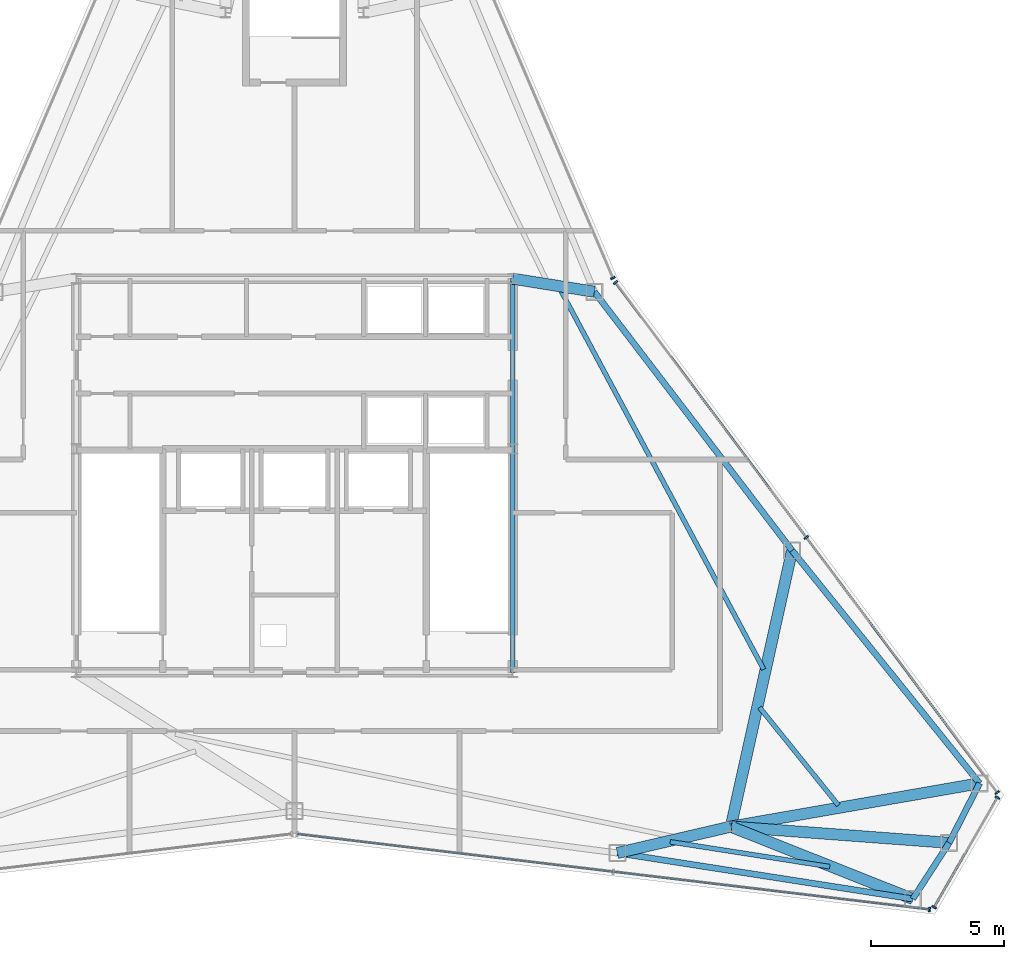
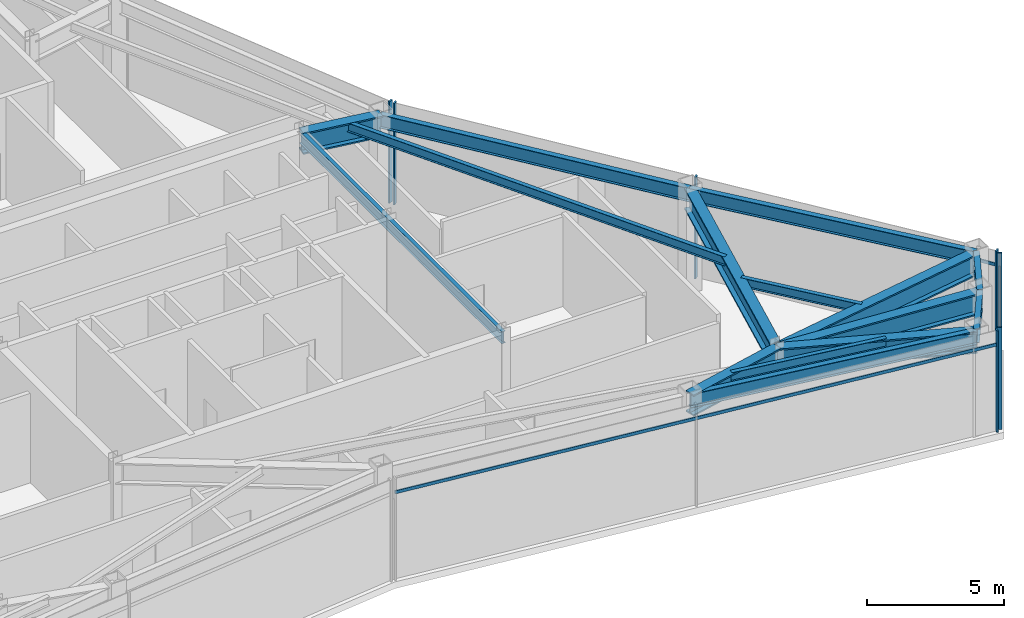
# One storey, part 6 of 11: 15 beams, 10 members, 4 elements without a shape of their own.
"""IFC4 building model written with IfcOpenShell, lengths in metres."""

from ifc_helpers import new_model, si_unit, direction, frame, origin, origin_2d, place, context, subcontext, project, spatial, rectangle, i_section, extrude, source, transform, mapped, material, layer, layer_set, material_profile, profile_set, type_object, type_shapes, element, aggregate, save


model = new_model("IFC4")

# Units and contexts
model_context = context("Model", 3, precision=1e-05, world=origin(), true_north=direction((0.0, 1.0)))
body_context = subcontext(model_context, "Body", "Model", "MODEL_VIEW")
ifc_project = project(units=[si_unit("LENGTHUNIT", "METRE"), si_unit("AREAUNIT", "SQUARE_METRE"), si_unit("VOLUMEUNIT", "CUBIC_METRE"), si_unit("PLANEANGLEUNIT", "RADIAN"), si_unit("MASSUNIT", "GRAM", prefix="KILO")], contexts=[model_context])

# Site, building, storey
site_placement = place(None, origin())
site = spatial("IfcSite", under=ifc_project, at=site_placement, CompositionType="ELEMENT")
building_placement = place(site_placement, origin())
building = spatial("IfcBuilding", under=site, at=building_placement, Name="Varakhsha Concourse Tower", CompositionType="ELEMENT")
storey_placement = place(building_placement, frame((0.0, 0.0, 290.0)))
storey = spatial("IfcBuildingStorey", under=building, at=storey_placement, Name="L82", CompositionType="ELEMENT", Elevation=290.0)

# Beams
ifc_material_1 = material(Name="Structural Steel ASTM A992 Grade 50", Category="steel")
ifc_material_profile_1 = material_profile(ifc_material_1, i_section(OverallWidth=0.177978515625, OverallDepth=0.406982421875, WebThickness=0.008056640625, FlangeThickness=0.012939453125, at=origin_2d()), Name="W16X40")
ifc_profile_set_1 = profile_set([ifc_material_profile_1], Name="Structural Steel ASTM A992 Grade 50")
beam_type_1 = type_object("IfcBeamType", Name="BM-JST-W16X40", PredefinedType="JOIST", material=ifc_profile_set_1)
beam_1_placement = place(storey_placement, frame((54.123046875, 10.02880859375, 4.33642578125), z_axis=(0.98809352672, -0.153854419674, 0.0), x_axis=(0.153854419674, 0.98809352672, 0.0)))
element("IfcBeam", 1, at=beam_1_placement, inside=storey, type_object=beam_type_1, Name="BM-TJST-L82-12", PredefinedType="JOIST", context=body_context, shape_type="SweptSolid", body=[
    extrude(i_section(OverallWidth=0.177978515625, OverallDepth=0.406982421875, WebThickness=0.008056640625, FlangeThickness=0.012939453125, at=origin_2d()), origin(), (0.0, 0.0, 1.0), 6.07275390625),
])
beam_2_placement = place(storey_placement, frame((60.44677734375, 11.40283203125, 4.33642578125), z_axis=(-0.627306903234, 0.778772142, 0.0), x_axis=(-0.778772142, -0.627306903234, 0.0)))
element("IfcBeam", 2, at=beam_2_placement, inside=storey, type_object=beam_type_1, Name="BM-TJST-L82-15", PredefinedType="JOIST", context=body_context, shape_type="SweptSolid", body=[
    extrude(i_section(OverallWidth=0.177978515625, OverallDepth=0.406982421875, WebThickness=0.008056640625, FlangeThickness=0.012939453125, at=origin_2d()), origin(), (0.0, 0.0, 1.0), 4.724365234375),
])
beam_3_placement = place(storey_placement, frame((57.638916015625, 16.510498046875, 4.33642578125), z_axis=(-0.472095005665, 0.881547676321, 0.0), x_axis=(-0.881547676321, -0.472095005665, 0.0)))
element("IfcBeam", 3, at=beam_3_placement, inside=storey, type_object=beam_type_1, Name="BM-TJST-L82-16", PredefinedType="JOIST", context=body_context, shape_type="SweptSolid", body=[
    extrude(i_section(OverallWidth=0.177978515625, OverallDepth=0.406982421875, WebThickness=0.008056640625, FlangeThickness=0.012939453125, at=origin_2d()), origin(), (0.0, 0.0, 1.0), 16.240478515625),
])
ifc_material_profile_2 = material_profile(ifc_material_1, i_section(OverallWidth=0.423095703125, OverallDepth=0.947998046875, WebThickness=0.0380859375, FlangeThickness=0.06396484375, at=origin_2d()), Name="W36X302")
ifc_profile_set_2 = profile_set([ifc_material_profile_2], Name="Structural Steel ASTM A992 Grade 50")
beam_type_2 = type_object("IfcBeamType", Name="BM-OUTR-W36X302", PredefinedType="USERDEFINED", material=ifc_profile_set_2)
beam_4_placement = place(storey_placement, frame((56.39990234375, 10.60009765625, 4.06591796875), z_axis=(-0.974053264238, -0.22631888659, 0.0), x_axis=(0.22631888659, -0.974053264238, 0.0)))
element("IfcBeam", 4, at=beam_4_placement, inside=storey, type_object=beam_type_2, Name="L82 Radial Floor Girder 12", ObjectType="GIRDER", PredefinedType="USERDEFINED", context=body_context, shape_type="SweptSolid", body=[
    extrude(i_section(OverallWidth=0.423095703125, OverallDepth=0.947998046875, WebThickness=0.0380859375, FlangeThickness=0.06396484375, at=origin_2d()), origin(), (0.0, 0.0, 1.0), 4.373291015625),
])
beam_5_placement = place(storey_placement, frame((56.39990234375, 10.60009765625, 4.06591796875), z_axis=(0.929358942511, -0.369177404476, 0.0), x_axis=(0.369177404476, 0.929358942511, 0.0)))
element("IfcBeam", 5, at=beam_5_placement, inside=storey, type_object=beam_type_2, Name="L82 Radial Floor Girder 13", ObjectType="GIRDER", PredefinedType="USERDEFINED", context=body_context, shape_type="SweptSolid", body=[
    extrude(i_section(OverallWidth=0.423095703125, OverallDepth=0.947998046875, WebThickness=0.0380859375, FlangeThickness=0.06396484375, at=origin_2d()), origin(), (0.0, 0.0, 1.0), 7.36376953125),
])
beam_6_placement = place(storey_placement, frame((56.39990234375, 10.60009765625, 4.06591796875), z_axis=(0.997265326359, -0.073904457528, 0.0), x_axis=(0.073904457528, 0.997265326359, 0.0)))
element("IfcBeam", 6, at=beam_6_placement, inside=storey, type_object=beam_type_2, Name="L82 Radial Floor Girder 14", ObjectType="GIRDER", PredefinedType="USERDEFINED", context=body_context, shape_type="SweptSolid", body=[
    extrude(i_section(OverallWidth=0.423095703125, OverallDepth=0.947998046875, WebThickness=0.0380859375, FlangeThickness=0.06396484375, at=origin_2d()), origin(), (0.0, 0.0, 1.0), 8.232177734375),
])
beam_7_placement = place(storey_placement, frame((56.39990234375, 10.60009765625, 4.06591796875), z_axis=(0.985160946452, 0.171633066701, 0.0), x_axis=(-0.171633066701, 0.985160946452, 0.0)))
element("IfcBeam", 7, at=beam_7_placement, inside=storey, type_object=beam_type_2, Name="L82 Radial Floor Girder 15", ObjectType="GIRDER", PredefinedType="USERDEFINED", context=body_context, shape_type="SweptSolid", body=[
    extrude(i_section(OverallWidth=0.423095703125, OverallDepth=0.947998046875, WebThickness=0.0380859375, FlangeThickness=0.06396484375, at=origin_2d()), origin(), (0.0, 0.0, 1.0), 9.494873046875),
])
beam_8_placement = place(storey_placement, frame((56.39990234375, 10.60009765625, 4.06591796875), z_axis=(0.216774876947, 0.976221620701, 0.0), x_axis=(-0.976221620701, 0.216774876947, 0.0)))
element("IfcBeam", 8, at=beam_8_placement, inside=storey, type_object=beam_type_2, Name="L82 Radial Floor Girder 16", ObjectType="GIRDER", PredefinedType="USERDEFINED", context=body_context, shape_type="SweptSolid", body=[
    extrude(i_section(OverallWidth=0.423095703125, OverallDepth=0.947998046875, WebThickness=0.0380859375, FlangeThickness=0.06396484375, at=origin_2d()), origin(), (0.0, 0.0, 1.0), 10.634033203125),
])
beam_9_placement = place(storey_placement, frame((48.199951171875, 31.199951171875, 4.06591796875), z_axis=(0.987389151681, -0.158311917245, 0.0), x_axis=(0.158311917245, 0.987389151681, 0.0)))
element("IfcBeam", 9, at=beam_9_placement, inside=storey, type_object=beam_type_2, Name="L82 Radial Floor Girder 17", ObjectType="GIRDER", PredefinedType="USERDEFINED", context=body_context, shape_type="SweptSolid", body=[
    extrude(i_section(OverallWidth=0.423095703125, OverallDepth=0.947998046875, WebThickness=0.0380859375, FlangeThickness=0.06396484375, at=origin_2d()), origin(), (0.0, 0.0, 1.0), 3.110595703125),
])
ifc_material_profile_3 = material_profile(ifc_material_1, i_section(OverallWidth=0.1669921875, OverallDepth=0.534912109375, WebThickness=0.010009765625, FlangeThickness=0.01708984375, at=origin_2d()), Name="W21X57")
ifc_profile_set_3 = profile_set([ifc_material_profile_3], Name="Structural Steel ASTM A992 Grade 50")
beam_type_3 = type_object("IfcBeamType", Name="BM-RAD-W21X57", PredefinedType="BEAM", material=ifc_profile_set_3)
beam_10_placement = place(storey_placement, frame((48.199951171875, 16.39990234375, 4.2724609375), z_axis=(0.0, 1.0, 0.0), x_axis=(-1.0, 0.0, 0.0)))
element("IfcBeam", 10, at=beam_10_placement, inside=storey, type_object=beam_type_3, Name="BM-TCORE-L82-CE", PredefinedType="BEAM", context=body_context, shape_type="SweptSolid", body=[
    extrude(i_section(OverallWidth=0.1669921875, OverallDepth=0.534912109375, WebThickness=0.010009765625, FlangeThickness=0.01708984375, at=origin_2d()), origin(), (0.0, 0.0, 1.0), 14.800048828125),
])
ifc_material_profile_4 = material_profile(ifc_material_1, i_section(OverallWidth=0.22900390625, OverallDepth=0.612060546875, WebThickness=0.011962890625, FlangeThickness=0.02001953125, at=origin_2d()), Name="W24X84")
ifc_profile_set_4 = profile_set([ifc_material_profile_4], Name="Structural Steel ASTM A992 Grade 50")
beam_type_4 = type_object("IfcBeamType", Name="BM-SPAN-W24X84", PredefinedType="SPANDREL", material=ifc_profile_set_4)
beam_11_placement = place(storey_placement, frame((52.14013671875, 9.6103515625, 4.23388671875), z_axis=(0.988095047233, -0.153844654224, 0.0), x_axis=(0.153844654224, 0.988095047233, 0.0)))
element("IfcBeam", 11, at=beam_11_placement, inside=storey, type_object=beam_type_4, Name="BM-SPAN-L82-12", PredefinedType="SPANDREL", context=body_context, shape_type="SweptSolid", body=[
    extrude(i_section(OverallWidth=0.22900390625, OverallDepth=0.612060546875, WebThickness=0.011962890625, FlangeThickness=0.02001953125, at=origin_2d()), origin(), (0.0, 0.0, 1.0), 11.237060546875),
])
for number, where, z_axis, x_axis, name in (
    (12, (63.243408203125, 7.881591796875, 4.23388671875), (0.543488847416, 0.839416388173, 0.0), (-0.839416388173, 0.543488847416, 0.0), "BM-SPAN-L82-13"),
    (13, (64.609619140625, 9.99169921875, 4.23388671875), (0.455237693932, 0.89036994672, 0.0), (-0.89036994672, 0.455237693932, 0.0), "BM-SPAN-L82-14"),
):
    element("IfcBeam", number, at=place(storey_placement, frame(where, z_axis=z_axis, x_axis=x_axis)), inside=storey, type_object=beam_type_4, Name=name, PredefinedType="SPANDREL", context=body_context, shape_type="SweptSolid", body=[
        extrude(i_section(OverallWidth=0.22900390625, OverallDepth=0.612060546875, WebThickness=0.011962890625, FlangeThickness=0.02001953125, at=origin_2d()), origin(), (0.0, 0.0, 1.0), 2.513671875),
    ])
beam_12_placement = place(storey_placement, frame((65.75390625, 12.229736328125, 4.23388671875), z_axis=(-0.627277564502, 0.778795773661, 0.0), x_axis=(-0.778795773661, -0.627277564502, 0.0)))
element("IfcBeam", 14, at=beam_12_placement, inside=storey, type_object=beam_type_4, Name="BM-SPAN-L82-15", PredefinedType="SPANDREL", context=body_context, shape_type="SweptSolid", body=[
    extrude(i_section(OverallWidth=0.22900390625, OverallDepth=0.612060546875, WebThickness=0.011962890625, FlangeThickness=0.02001953125, at=origin_2d()), origin(), (0.0, 0.0, 1.0), 11.237060546875),
])
beam_13_placement = place(storey_placement, frame((58.705078125, 20.981201171875, 4.23388671875), z_axis=(-0.60724726041, 0.794512910357, 0.0), x_axis=(-0.794512910357, -0.60724726041, 0.0)))
element("IfcBeam", 15, at=beam_13_placement, inside=storey, type_object=beam_type_4, Name="BM-SPAN-L82-16", PredefinedType="SPANDREL", context=body_context, shape_type="SweptSolid", body=[
    extrude(i_section(OverallWidth=0.22900390625, OverallDepth=0.612060546875, WebThickness=0.011962890625, FlangeThickness=0.02001953125, at=origin_2d()), origin(), (0.0, 0.0, 1.0), 12.241943359375),
])

# Curtain wall, member
ifc_material_2 = material(Name="Anodised Bronze Architectural Aluminium AA 6063-T6", Category="aluminium")
ifc_layer = layer(ifc_material_2, 0.260009765625, Name="CW-SYS-06")
ifc_layer_set = layer_set([ifc_layer], Name="Anodised Bronze Architectural Aluminium AA 6063-T6")
curtain_wall_type = type_object("IfcCurtainWallType", Name="CW-SYS-06", PredefinedType="NOTDEFINED", material=ifc_layer_set)
curtain_wall_1_placement = place(storey_placement, origin())
curtain_wall_1 = element("IfcCurtainWall", 16, at=curtain_wall_1_placement, inside=storey, type_object=curtain_wall_type, Name="L82 Chamfer Curtain Wall F7", PredefinedType="NOTDEFINED")
ifc_material_profile_5 = material_profile(ifc_material_2, rectangle(XDim=0.06005859375, YDim=0.139892578125, at=origin_2d()), Name="CWT-140X60")
ifc_profile_set_5 = profile_set([ifc_material_profile_5], Name="Anodised Bronze Architectural Aluminium AA 6063-T6")
member_type_1 = type_object("IfcMemberType", Name="CWT-140X60", PredefinedType="USERDEFINED", material=ifc_profile_set_5)
shared_shape_1 = source(origin(), body_context, "Body", "SweptSolid", [
    extrude(rectangle(XDim=0.06005859375, YDim=0.139892578125, at=origin_2d()), origin(), (0.0, 0.0, 1.0), 4.760009765625),
])
member_1_placement = place(storey_placement, frame((66.423095703125, 11.69287109375, 3.889892578125), z_axis=(-0.499978485002, -0.866037825118, 0.0), x_axis=(0.866037825118, -0.499978485002, 0.0)))
member_1 = element("IfcMember", 17, at=member_1_placement, type_object=member_type_1, Name="CW-L82-F7 Transom 01", ObjectType="TRANSOM", PredefinedType="USERDEFINED", context=body_context, shape_type="MappedRepresentation", body=[
    mapped(shared_shape_1, transform((0.0, 0.0, 0.0), scale=1.0)),
])

curtain_wall_2_placement = place(storey_placement, origin())
curtain_wall_2 = element("IfcCurtainWall", 18, at=curtain_wall_2_placement, inside=storey, type_object=curtain_wall_type, Name="L82 Crystal Curtain Wall F6", PredefinedType="NOTDEFINED")
ifc_material_profile_6 = material_profile(ifc_material_2, rectangle(XDim=0.06494140625, YDim=0.179931640625, at=origin_2d()), Name="CWM-180X65")
ifc_profile_set_6 = profile_set([ifc_material_profile_6], Name="Anodised Bronze Architectural Aluminium AA 6063-T6")
member_type_2 = type_object("IfcMemberType", Name="CWM-180X65", PredefinedType="MULLION", material=ifc_profile_set_6)
shared_shape_2 = source(origin(), body_context, "Body", "SweptSolid", [
    extrude(rectangle(XDim=0.06494140625, YDim=0.179931640625, at=origin_2d()), origin(), (0.0, 0.0, 1.0), 4.5400390625),
])
type_shapes(member_type_2, [shared_shape_2])
member_2_placement = place(storey_placement, frame((63.872314453125, 7.48486328125, 0.0), z_axis=(0.0, 0.0, 1.0), x_axis=(-0.992952482908, 0.118513149851, 0.0)))
member_2 = element("IfcMember", 19, at=member_2_placement, type_object=member_type_2, Name="CW-L82-F6 Mullion 00", PredefinedType="MULLION", context=body_context, shape_type="MappedRepresentation", body=[
    mapped(shared_shape_2, transform((0.0, 0.0, 0.0), scale=1.0)),
])

# Member
member_3_placement = place(storey_placement, frame((66.423095703125, 11.69287109375, 0.0), z_axis=(0.0, 0.0, 1.0), x_axis=(-0.4999984885, -0.866026276448, 0.0)))
member_3 = element("IfcMember", 20, at=member_3_placement, type_object=member_type_2, Name="CW-L82-F7 Mullion 00", PredefinedType="MULLION", context=body_context, shape_type="MappedRepresentation", body=[
    mapped(shared_shape_2, transform((0.0, 0.0, 0.0), scale=1.0)),
])

member_4_placement = place(storey_placement, frame((64.043212890625, 7.570556640625, 0.0), z_axis=(0.0, 0.0, 1.0), x_axis=(-0.4999984885, -0.866026276448, 0.0)))
member_4 = element("IfcMember", 21, at=member_4_placement, type_object=member_type_2, Name="CW-L82-F7 Mullion 01", PredefinedType="MULLION", context=body_context, shape_type="MappedRepresentation", body=[
    mapped(shared_shape_2, transform((0.0, 0.0, 0.0), scale=1.0)),
])

aggregate(curtain_wall_1, [member_3, member_4, member_1])

# Curtain wall, members
curtain_wall_3_placement = place(storey_placement, origin())
curtain_wall_3 = element("IfcCurtainWall", 22, at=curtain_wall_3_placement, inside=storey, type_object=curtain_wall_type, Name="L82 Crystal Curtain Wall F8", PredefinedType="NOTDEFINED")
member_5_placement = place(storey_placement, frame((52.0673828125, 31.0537109375, 0.0), z_axis=(0.0, 0.0, 1.0), x_axis=(0.599111639907, -0.800665500024, 0.0)))
member_5 = element("IfcMember", 23, at=member_5_placement, type_object=member_type_2, Name="CW-L82-F8 Mullion 00", PredefinedType="MULLION", context=body_context, shape_type="MappedRepresentation", body=[
    mapped(shared_shape_2, transform((0.0, 0.0, 0.0), scale=1.0)),
])
member_6_placement = place(storey_placement, frame((59.23974609375, 21.468505859375, 0.0), z_axis=(0.0, 0.0, 1.0), x_axis=(0.599111639907, -0.800665500024, 0.0)))
member_6 = element("IfcMember", 24, at=member_6_placement, type_object=member_type_2, Name="CW-L82-F8 Mullion 01", PredefinedType="MULLION", context=body_context, shape_type="MappedRepresentation", body=[
    mapped(shared_shape_2, transform((0.0, 0.0, 0.0), scale=1.0)),
])
member_7_placement = place(storey_placement, frame((66.411865234375, 11.883544921875, 0.0), z_axis=(0.0, 0.0, 1.0), x_axis=(0.599111639907, -0.800665500024, 0.0)))
member_7 = element("IfcMember", 25, at=member_7_placement, type_object=member_type_2, Name="CW-L82-F8 Mullion 02", PredefinedType="MULLION", context=body_context, shape_type="MappedRepresentation", body=[
    mapped(shared_shape_2, transform((0.0, 0.0, 0.0), scale=1.0)),
])

# Curtain wall, member
curtain_wall_4_placement = place(storey_placement, origin())
curtain_wall_4 = element("IfcCurtainWall", 26, at=curtain_wall_4_placement, inside=storey, type_object=curtain_wall_type, Name="L82 Crystal Curtain Wall F9", PredefinedType="NOTDEFINED")
member_8_placement = place(storey_placement, frame((51.968994140625, 31.22412109375, 0.0), z_axis=(0.0, 0.0, 1.0), x_axis=(0.393839238731, -0.919179337255, 0.0)))
member_8 = element("IfcMember", 27, at=member_8_placement, type_object=member_type_2, Name="CW-L82-F9 Mullion 02", PredefinedType="MULLION", context=body_context, shape_type="MappedRepresentation", body=[
    mapped(shared_shape_2, transform((0.0, 0.0, 0.0), scale=1.0)),
])
aggregate(curtain_wall_4, [member_8])

# Member
shared_shape_3 = source(origin(), body_context, "Body", "SweptSolid", [
    extrude(rectangle(XDim=0.06005859375, YDim=0.139892578125, at=origin_2d()), origin(), (0.0, 0.0, 1.0), 23.94287109375),
])
member_9_placement = place(storey_placement, frame((52.0673828125, 31.0537109375, 3.889892578125), z_axis=(0.599113733025, -0.800663933808, 0.0), x_axis=(0.800663933808, 0.599113733025, 0.0)))
member_9 = element("IfcMember", 28, at=member_9_placement, type_object=member_type_1, Name="CW-L82-F8 Transom 01", ObjectType="TRANSOM", PredefinedType="USERDEFINED", context=body_context, shape_type="MappedRepresentation", body=[
    mapped(shared_shape_3, transform((0.0, 0.0, 0.0), scale=1.0)),
])

aggregate(curtain_wall_3, [member_5, member_6, member_7, member_9])

shared_shape_4 = source(origin(), body_context, "Body", "SweptSolid", [
    extrude(rectangle(XDim=0.06005859375, YDim=0.139892578125, at=origin_2d()), origin(), (0.0, 0.0, 1.0), 23.942626953125),
])
type_shapes(member_type_1, [shared_shape_1, shared_shape_3, shared_shape_4])
member_10_placement = place(storey_placement, frame((63.872314453125, 7.48486328125, 3.889892578125), z_axis=(-0.992951862707, 0.118518346035, 0.0), x_axis=(-0.118518346035, -0.992951862707, 0.0)))
member_10 = element("IfcMember", 29, at=member_10_placement, type_object=member_type_1, Name="CW-L82-F6 Transom 01", ObjectType="TRANSOM", PredefinedType="USERDEFINED", context=body_context, shape_type="MappedRepresentation", body=[
    mapped(shared_shape_4, transform((0.0, 0.0, 0.0), scale=1.0)),
])

aggregate(curtain_wall_2, [member_2, member_10])

save(model, "model.ifc")
